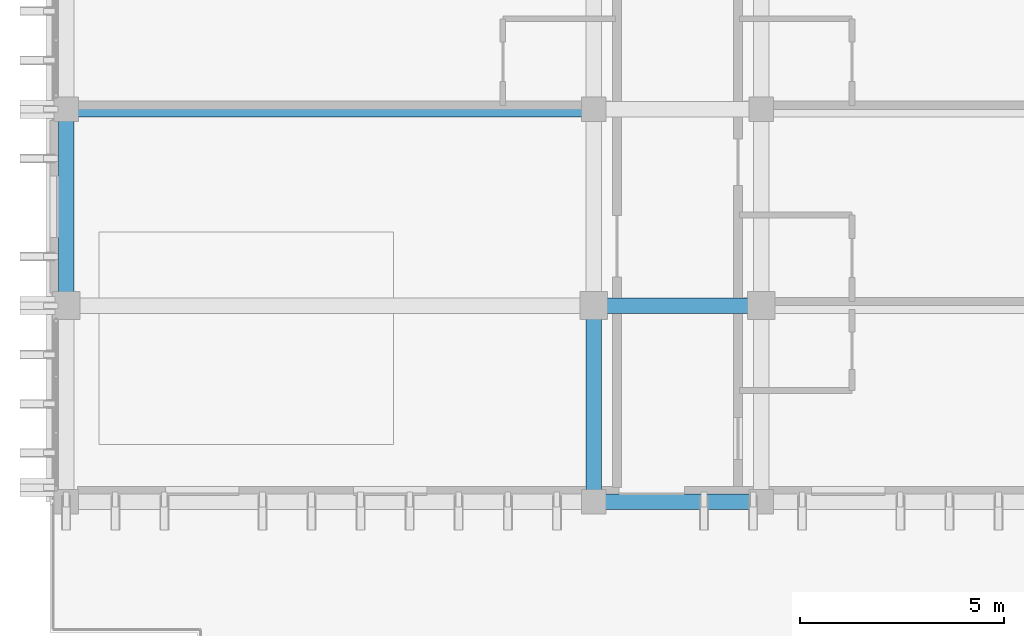
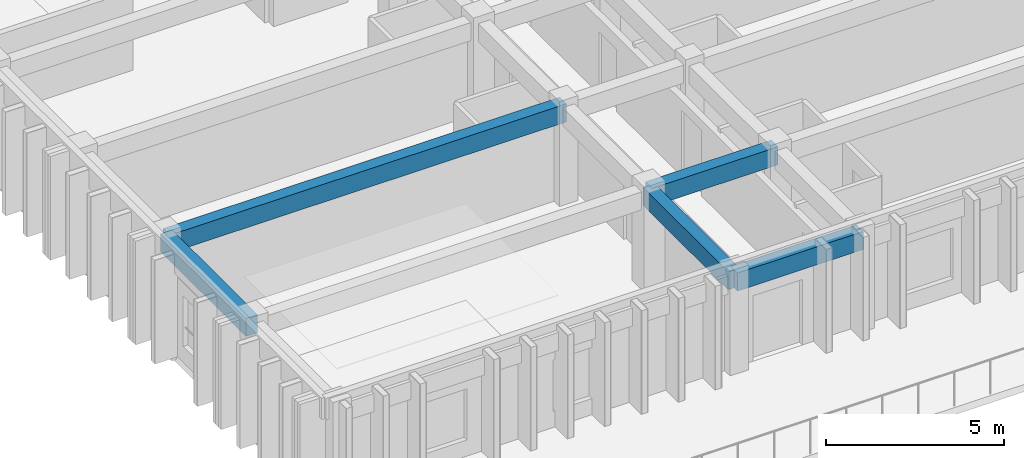
# One storey, part 3 of 53: 5 beams.
"""IFC4 building model written with IfcOpenShell, lengths in metres."""

from ifc_helpers import new_model, si_unit, direction, frame, origin, origin_2d, place, context, subcontext, project, spatial, rectangle, extrude, material, material_profile, profile_set, type_object, element, save


model = new_model("IFC4")

# Units and contexts
model_context = context("Model", 3, precision=1e-05, world=origin(), true_north=direction((0.0, 1.0)))
body_context = subcontext(model_context, "Body", "Model", "MODEL_VIEW")
ifc_project = project(units=[si_unit("LENGTHUNIT", "METRE"), si_unit("AREAUNIT", "SQUARE_METRE"), si_unit("VOLUMEUNIT", "CUBIC_METRE"), si_unit("PLANEANGLEUNIT", "RADIAN"), si_unit("MASSUNIT", "GRAM", prefix="KILO")], contexts=[model_context])

# Site, building, storey
site_placement = place(None, origin())
site = spatial("IfcSite", under=ifc_project, at=site_placement, CompositionType="ELEMENT")
building_placement = place(site_placement, origin())
building = spatial("IfcBuilding", under=site, at=building_placement, Name="Nakhvara Creek Congress Hotel", CompositionType="ELEMENT")
storey_placement = place(building_placement, frame((0.0, 0.0, 35.39990234375)))
storey = spatial("IfcBuildingStorey", under=building, at=storey_placement, Name="L08", CompositionType="ELEMENT", Elevation=35.39990234375)

# Beams
ifc_material = material(Name="Concrete C40/50", Category="concrete")
ifc_material_profile = material_profile(ifc_material, rectangle(XDim=0.3798828125, YDim=0.6201171875, at=origin_2d()), Name="RC-BM 380x620", Category="LoadBearing")
ifc_profile_set = profile_set([ifc_material_profile], Name="Concrete C40/50")
beam_type = type_object("IfcBeamType", Name="BM-RC-380X620", PredefinedType="BEAM", material=ifc_profile_set)
beam_1_placement = place(storey_placement, frame((149.449951171875, 57.60009765625, 3.050048828125), z_axis=(0.0, 1.0, 0.0), x_axis=(-1.0, 0.0, 0.0)))
element("IfcBeam", 1, at=beam_1_placement, inside=storey, type_object=beam_type, Name="Beam B10-L08-2431", PredefinedType="BEAM", context=body_context, shape_type="SweptSolid", body=[
    extrude(rectangle(XDim=0.3798828125, YDim=0.6201171875, at=origin_2d()), origin(), (0.0, 0.0, 1.0), 4.7998046875),
])
beam_2_placement = place(storey_placement, frame((162.35009765625, 57.60009765625, 3.050048828125), z_axis=(1.0, 0.0, 0.0), x_axis=(0.0, 1.0, 0.0)))
element("IfcBeam", 2, at=beam_2_placement, inside=storey, type_object=beam_type, Name="Beam B10-L08-2450", PredefinedType="BEAM", context=body_context, shape_type="SweptSolid", body=[
    extrude(rectangle(XDim=0.3798828125, YDim=0.6201171875, at=origin_2d()), origin(), (0.0, 0.0, 1.0), 4.099853515625),
])
beam_3_placement = place(storey_placement, frame((162.35009765625, 52.800048828125, 3.050048828125), z_axis=(0.0, 1.0, 0.0), x_axis=(-1.0, 0.0, 0.0)))
element("IfcBeam", 3, at=beam_3_placement, inside=storey, type_object=beam_type, Name="Beam B10-L08-2451", PredefinedType="BEAM", context=body_context, shape_type="SweptSolid", body=[
    extrude(rectangle(XDim=0.3798828125, YDim=0.6201171875, at=origin_2d()), origin(), (0.0, 0.0, 1.0), 4.800048828125),
])
beam_4_placement = place(storey_placement, frame((149.449951171875, 62.39990234375, 3.050048828125), z_axis=(1.0, 0.0, 0.0), x_axis=(0.0, 1.0, 0.0)))
element("IfcBeam", 4, at=beam_4_placement, inside=storey, type_object=beam_type, Name="Beam B10-L08-2512", PredefinedType="BEAM", context=body_context, shape_type="SweptSolid", body=[
    extrude(rectangle(XDim=0.3798828125, YDim=0.6201171875, at=origin_2d()), origin(), (0.0, 0.0, 1.0), 12.900146484375),
])
beam_5_placement = place(storey_placement, frame((162.35009765625, 52.800048828125, 3.050048828125), z_axis=(1.0, 0.0, 0.0), x_axis=(0.0, 1.0, 0.0)))
element("IfcBeam", 5, at=beam_5_placement, inside=storey, type_object=beam_type, Name="Beam B10-L08-2517", PredefinedType="BEAM", context=body_context, shape_type="SweptSolid", body=[
    extrude(rectangle(XDim=0.3798828125, YDim=0.6201171875, at=origin_2d()), origin(), (0.0, 0.0, 1.0), 4.099853515625),
])

save(model, "model.ifc")
